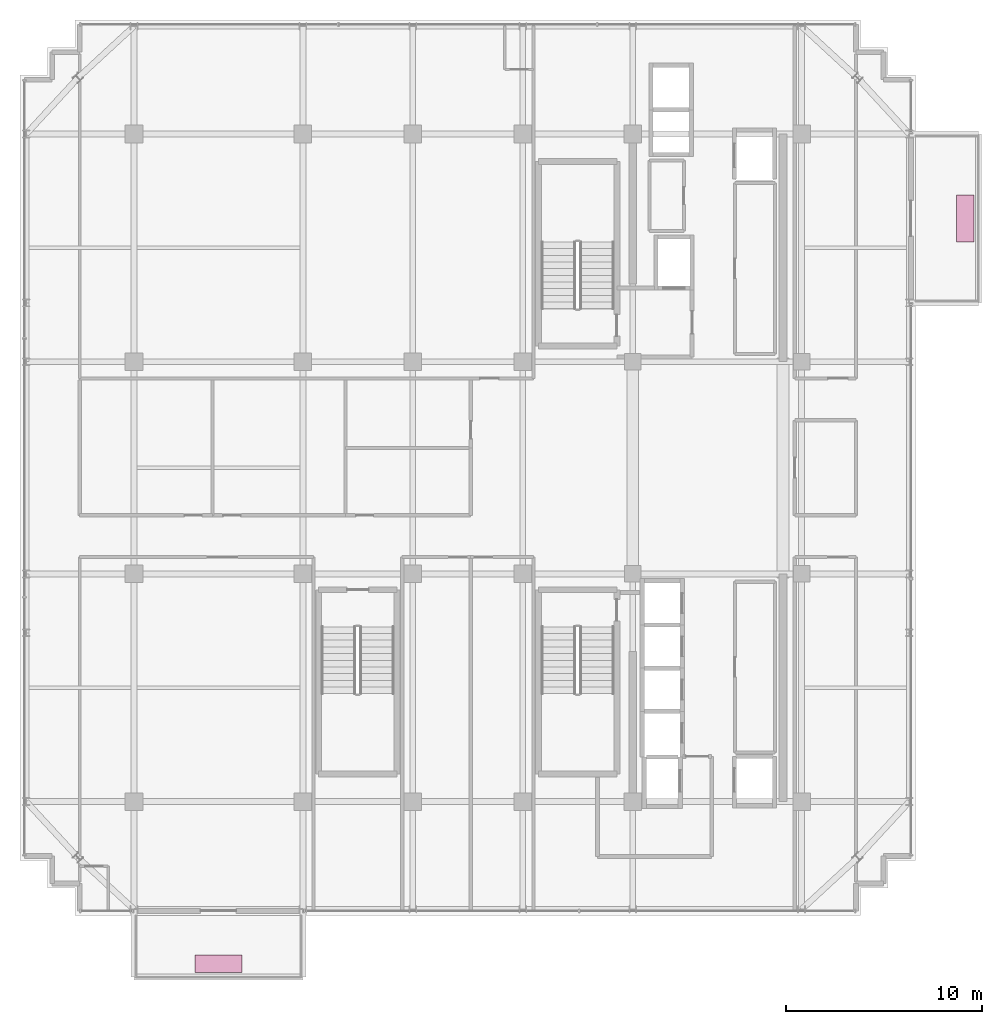
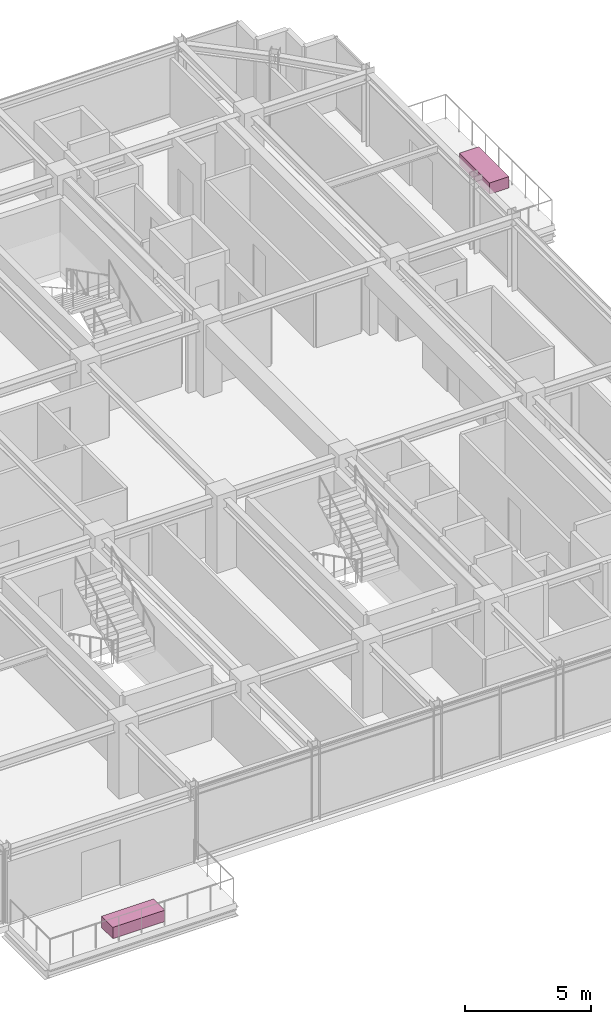
# One storey, part 32 of 32: 2 furnishings.
"""IFC4 building model written with IfcOpenShell, lengths in metres."""

from ifc_helpers import new_model, si_unit, direction, frame, origin, origin_2d, place, context, subcontext, project, spatial, rectangle, extrude, source, transform, mapped, material, type_object, element, save


model = new_model("IFC4")

# Units and contexts
model_context = context("Model", 3, precision=1e-05, world=origin(), true_north=direction((0.0, 1.0)))
body_context = subcontext(model_context, "Body", "Model", "MODEL_VIEW")
ifc_project = project(units=[si_unit("LENGTHUNIT", "METRE"), si_unit("AREAUNIT", "SQUARE_METRE"), si_unit("VOLUMEUNIT", "CUBIC_METRE"), si_unit("PLANEANGLEUNIT", "RADIAN"), si_unit("MASSUNIT", "GRAM", prefix="KILO")], contexts=[model_context])

# Site, building, storey
site_placement = place(None, origin())
site = spatial("IfcSite", under=ifc_project, at=site_placement, CompositionType="ELEMENT")
building_placement = place(site_placement, origin())
building = spatial("IfcBuilding", under=site, at=building_placement, Name="Nahalor Promenade Grand Hotel", CompositionType="ELEMENT")
storey_placement = place(building_placement, frame((0.0, 0.0, 330.949951171875)))
storey = spatial("IfcBuildingStorey", under=building, at=storey_placement, Name="L85", CompositionType="ELEMENT", Elevation=330.949951171875)

# Furnishings
ifc_material = material(Name="Vegetated Volcanic-Lapilli Tree Planter", Category="earth")
furnishing_element_type = type_object("IfcFurnishingElementType", Name="Planter-VerticalForest-Box", material=ifc_material)
shared_shape = source(origin(), body_context, "Body", "SweptSolid", [
    extrude(rectangle(XDim=2.39990234375, YDim=0.89990234375, at=origin_2d()), origin(), (0.0, 0.0, 1.0), 0.550048828125),
])
for number, where, z_axis, x_axis, name in (
    (1, (-12.699951171875, -25.260009765625, 0.0), (0.0, 0.0, 1.0), (1.0, 0.0, 0.0), "L85 Balcony Structural Tree Planter 1"),
    (2, (25.330078125, 12.699951171875, 0.0), (0.0, 0.0, 1.0), (0.0, 1.0, 0.0), "L85 Balcony Structural Tree Planter 2"),
):
    element("IfcFurnishingElement", number, at=place(storey_placement, frame(where, z_axis=z_axis, x_axis=x_axis)), inside=storey, type_object=furnishing_element_type, Name=name, ObjectType="PLANTER", context=body_context, shape_type="MappedRepresentation", body=[
        mapped(shared_shape, transform((0.0, 0.0, 0.0), scale=1.0)),
    ])

save(model, "model.ifc")
